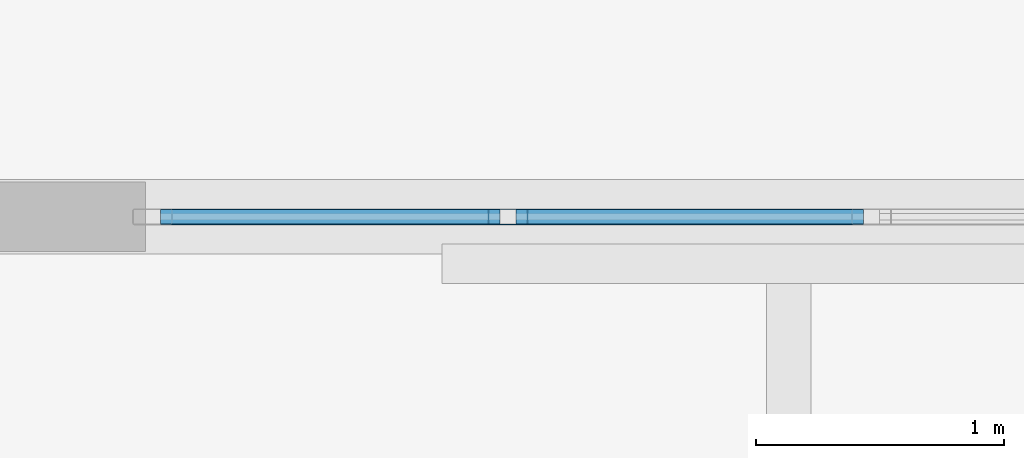
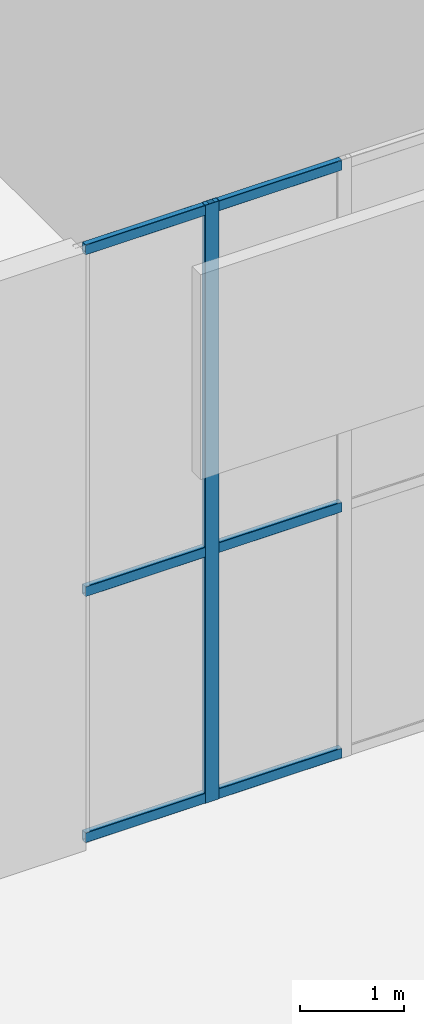
# One storey, part 9 of 23: 7 members, 1 element without a shape of its own.
"""IFC4 building model written with IfcOpenShell, lengths in metres."""

import ifcopenshell
import ifcopenshell.guid

model = None  # the IFC model being written
_history = None  # IfcOwnerHistory: only IFC2X3 demands one
_inside = {}  # id of a spatial element -> (the spatial element, [elements in it])
_under = {}  # id of a project, library or spatial element -> (it, [spatial elements below it])
_declared = {}  # id of a project -> (the project, [libraries it declares])
_typed = {}  # id of a type object -> (the type object, [elements of that type])
_made_of = {}  # id of a material, layer set ... -> (it, [elements and type objects made of it])


def new_model(schema):
    """Start an empty IFC model of exactly this schema.

    Asked for "IFC4X3", IfcOpenShell would pick the latest addendum, in which some entities
    have other attributes; the version numbers below select the first issue.
    IFC2X3 requires an IfcOwnerHistory on every rooted entity: one is made here for all.
    """
    global model, _history
    if schema == "IFC4X3":
        model = ifcopenshell.file(schema_version=(4, 3, 0, 0))
    else:
        model = ifcopenshell.file(schema=schema)
    _inside.clear()
    _under.clear()
    _declared.clear()
    _typed.clear()
    _made_of.clear()
    _history = None
    if model.schema == "IFC2X3":
        org = make("IfcOrganization", Name="unknown")
        user = make(
            "IfcPersonAndOrganization",
            ThePerson=make("IfcPerson", FamilyName="unknown"),
            TheOrganization=org,
        )
        app = make(
            "IfcApplication",
            ApplicationDeveloper=org,
            Version="unknown",
            ApplicationFullName="unknown",
            ApplicationIdentifier="unknown",
        )
        _history = make(
            "IfcOwnerHistory",
            OwningUser=user,
            OwningApplication=app,
            ChangeAction="ADDED",
            CreationDate=0,
        )
    return model


def make(cls, **values):
    """One entity of the class cls with the attributes given. An attribute that is None is left unset."""
    return model.create_entity(
        cls, **{name: value for name, value in values.items() if value is not None}
    )


def rooted(cls, **values):
    """An entity with a GlobalId (a new one), such as an element, a storey or a relation."""
    return make(cls, GlobalId=ifcopenshell.guid.new(), OwnerHistory=_history, **values)


def si_unit(unit_type, name, prefix=None):
    """IfcSIUnit, for example si_unit("LENGTHUNIT", "METRE", prefix="MILLI")."""
    return make("IfcSIUnit", UnitType=unit_type, Prefix=prefix, Name=name)


def assignment(units):
    """IfcUnitAssignment: the units of a project."""
    return None if units is None else make("IfcUnitAssignment", Units=units)


def point(xyz):
    """IfcCartesianPoint."""
    return None if xyz is None else make("IfcCartesianPoint", Coordinates=xyz)


def direction(xyz):
    """IfcDirection."""
    return None if xyz is None else make("IfcDirection", DirectionRatios=xyz)


def frame(location, z_axis=None, x_axis=None):
    """IfcAxis2Placement3D, a coordinate frame: its origin and axes. An axis left out is left unset."""
    return make(
        "IfcAxis2Placement3D",
        Location=point(location),
        Axis=direction(z_axis),
        RefDirection=direction(x_axis),
    )


def frame_2d(location, x_axis=None):
    """IfcAxis2Placement2D, a coordinate frame in the plane: its origin and x axis."""
    return make(
        "IfcAxis2Placement2D", Location=point(location), RefDirection=direction(x_axis)
    )


def origin():
    """The frame at (0, 0, 0) with its axes left unset."""
    return frame((0.0, 0.0, 0.0))


def origin_2d():
    """The frame at (0, 0) in the plane with its x axis left unset."""
    return frame_2d((0.0, 0.0))


def place(relative_to, where):
    """IfcLocalPlacement: puts the frame where relative to a parent placement (None: the world)."""
    return make(
        "IfcLocalPlacement", PlacementRelTo=relative_to, RelativePlacement=where
    )


def context(
    kind, dimensions, precision=None, world=None, true_north=None, identifier=None
):
    """IfcGeometricRepresentationContext, for example the 3D "Model" context."""
    return make(
        "IfcGeometricRepresentationContext",
        ContextIdentifier=identifier,
        ContextType=kind,
        CoordinateSpaceDimension=dimensions,
        Precision=precision,
        WorldCoordinateSystem=world,
        TrueNorth=true_north,
    )


def subcontext(parent, identifier, kind, view, scale=None):
    """IfcGeometricRepresentationSubContext, for example "Body" below "Model"."""
    return make(
        "IfcGeometricRepresentationSubContext",
        ContextIdentifier=identifier,
        ContextType=kind,
        ParentContext=parent,
        TargetScale=scale,
        TargetView=view,
    )


def project(units=None, contexts=None):
    """IfcProject with its units and contexts."""
    return rooted(
        "IfcProject",
        Name="project",
        RepresentationContexts=contexts,
        UnitsInContext=assignment(units),
    )


def spatial(cls, under=None, at=None, **own):
    """A site, building, storey or space (cls), placed at a placement, below another one or the project."""
    s = rooted(cls, ObjectPlacement=at, **own)
    if under is not None:
        _under.setdefault(under.id(), (under, []))[1].append(s)
    return s


def profile(cls, at=None, kind="AREA", **sizes):
    """A parametric profile (cls). Its sizes go by their IFC names, for example OverallWidth=200.0."""
    return make(cls, ProfileType=kind, Position=at, **sizes)


def hollow_rectangle(**sizes):
    """IfcRectangleHollowProfileDef."""
    return profile("IfcRectangleHollowProfileDef", **sizes)


def extrude(swept, where, along, depth):
    """IfcExtrudedAreaSolid: the profile swept, set in the frame where, extruded along a direction by depth."""
    return make(
        "IfcExtrudedAreaSolid",
        SweptArea=swept,
        Position=where,
        ExtrudedDirection=direction(along),
        Depth=depth,
    )


def shape(context_of_items, identifier, shape_type, items):
    """IfcShapeRepresentation: the items that make up one representation, for example the "Body"."""
    return make(
        "IfcShapeRepresentation",
        ContextOfItems=context_of_items,
        RepresentationIdentifier=identifier,
        RepresentationType=shape_type,
        Items=items,
    )


def material(Name=None, Category=None):
    """IfcMaterial."""
    return make("IfcMaterial", Name=Name, Category=Category)


def layer(
    of_material, thickness, ventilated=None, Name=None, Category=None, Priority=None
):
    """IfcMaterialLayer: one layer of a wall or slab, of a material (None: an air gap)."""
    return make(
        "IfcMaterialLayer",
        Material=of_material,
        LayerThickness=thickness,
        IsVentilated=ventilated,
        Name=Name,
        Category=Category,
        Priority=Priority,
    )


def layer_set(layers, Name=None):
    """IfcMaterialLayerSet."""
    return make("IfcMaterialLayerSet", MaterialLayers=layers, LayerSetName=Name)


def material_profile(
    of_material, cross_section, Name=None, Category=None, Priority=None
):
    """IfcMaterialProfile: a cross section and its material."""
    return make(
        "IfcMaterialProfile",
        Name=Name,
        Material=of_material,
        Profile=cross_section,
        Priority=Priority,
        Category=Category,
    )


def profile_set(profiles, Name=None, composite=None):
    """IfcMaterialProfileSet."""
    return make(
        "IfcMaterialProfileSet",
        Name=Name,
        MaterialProfiles=profiles,
        CompositeProfile=composite,
    )


def made_of(thing, what):
    """Note that an element or type object is made of a material, layer set ...; save() writes the relation."""
    if what is not None:
        _made_of.setdefault(what.id(), (what, []))[1].append(thing)
    return thing


def type_object(cls, material=None, **own):
    """A type object (cls), such as IfcWallType, which elements share."""
    return made_of(rooted(cls, **own), material)


def element(
    cls,
    number,
    at=None,
    inside=None,
    cuts=None,
    type_object=None,
    material=None,
    context=None,
    identifier="Body",
    shape_type=None,
    held_by="IfcProductDefinitionShape",
    body=None,
    shapes=None,
    **own,
):
    """One element of the class cls, such as IfcWall. Its Tag is "e" and its number.

    at: its placement. inside: the storey or other place that contains it. cuts: it is an
    opening in that element (IfcRelVoidsElement). A single representation is given by context,
    identifier, shape_type and body (its items); several are given by shapes. held_by: the class
    of the entity that holds the representations. save() writes the other relations.
    """
    e = rooted(cls, Tag="e%d" % number, ObjectPlacement=at, **own)
    if body is not None:
        shapes = [shape(context, identifier, shape_type, body)]
    if shapes is not None:
        e.Representation = make(held_by, Representations=shapes)
    if inside is not None:
        _inside.setdefault(inside.id(), (inside, []))[1].append(e)
    if cuts is not None:
        rooted(
            "IfcRelVoidsElement", RelatingBuildingElement=cuts, RelatedOpeningElement=e
        )
    if type_object is not None:
        _typed.setdefault(type_object.id(), (type_object, []))[1].append(e)
    return made_of(e, material)


def aggregate(whole, parts):
    """IfcRelAggregates: a whole, such as a stair, and the parts it consists of."""
    return rooted("IfcRelAggregates", RelatingObject=whole, RelatedObjects=parts)


def save(model, path):
    """Write the relations noted so far, then the file.

    IfcRelAggregates (storeys below a building ...), IfcRelContainedInSpatialStructure (elements
    in a storey), IfcRelDefinesByType, IfcRelAssociatesMaterial and IfcRelDeclares: one each for
    every whole, place, type object, material and project.
    """
    for whole, parts in _under.values():
        aggregate(whole, parts)
    for where, things in _inside.values():
        rooted(
            "IfcRelContainedInSpatialStructure",
            RelatedElements=things,
            RelatingStructure=where,
        )
    for kind, things in _typed.values():
        rooted("IfcRelDefinesByType", RelatedObjects=things, RelatingType=kind)
    for what, things in _made_of.values():
        rooted("IfcRelAssociatesMaterial", RelatedObjects=things, RelatingMaterial=what)
    for by, libraries in _declared.values():
        rooted("IfcRelDeclares", RelatingContext=by, RelatedDefinitions=libraries)
    model.write(path)


model = new_model("IFC4")

# Units and contexts
model_context = context("Model", 3, precision=1e-05, world=origin(), true_north=direction((0.0, 1.0)))
body_context = subcontext(model_context, "Body", "Model", "MODEL_VIEW")
ifc_project = project(units=[si_unit("LENGTHUNIT", "METRE"), si_unit("AREAUNIT", "SQUARE_METRE"), si_unit("VOLUMEUNIT", "CUBIC_METRE"), si_unit("PLANEANGLEUNIT", "RADIAN"), si_unit("MASSUNIT", "GRAM", prefix="KILO")], contexts=[model_context])

# Site, building, storey
site_placement = place(None, origin())
site = spatial("IfcSite", under=ifc_project, at=site_placement, CompositionType="ELEMENT")
building_placement = place(site_placement, origin())
building = spatial("IfcBuilding", under=site, at=building_placement, Name="Kaelvorn Grand Hotel", CompositionType="ELEMENT")
storey_placement = place(building_placement, frame((0.0, 0.0, 310.699951171875)))
storey = spatial("IfcBuildingStorey", under=building, at=storey_placement, Name="L75", CompositionType="ELEMENT", Elevation=310.699951171875)

# Curtain wall, members
ifc_material = material(Name="Anodised Aluminium", Category="aluminium")
ifc_layer = layer(ifc_material, 0.159912109375)
ifc_layer_set = layer_set([ifc_layer], Name="Anodised Aluminium")
curtain_wall_type = type_object("IfcCurtainWallType", Name="CW-SYS6", PredefinedType="NOTDEFINED", material=ifc_layer_set)
curtain_wall_placement = place(storey_placement, origin())
curtain_wall = element("IfcCurtainWall", 1, at=curtain_wall_placement, inside=storey, type_object=curtain_wall_type, Name="L75 Unitised Curtain Wall CW6 (CW-L75-S1)", PredefinedType="NOTDEFINED")
ifc_material_profile_1 = material_profile(ifc_material, hollow_rectangle(XDim=0.06494140625, YDim=0.159912109375, WallThickness=0.00341796875, InnerFilletRadius=0.00341796875, OuterFilletRadius=0.007080078125, at=origin_2d()), Name="ALU MULL 65x160")
ifc_profile_set_1 = profile_set([ifc_material_profile_1], Name="Anodised Aluminium")
member_type_1 = type_object("IfcMemberType", Name="CW-SYS6-MULL", PredefinedType="MULLION", material=ifc_profile_set_1)
member_1_placement = place(storey_placement, frame((25.86669921875, 15.0, 0.0), z_axis=(0.0, 0.0, 1.0), x_axis=(0.0, 1.0, 0.0)))
member_1 = element("IfcMember", 2, at=member_1_placement, type_object=member_type_1, Name="CW6 mullion 2", PredefinedType="MULLION", context=body_context, shape_type="SweptSolid", body=[
    extrude(hollow_rectangle(XDim=0.06494140625, YDim=0.159912109375, WallThickness=0.00341796875, InnerFilletRadius=0.00341796875, OuterFilletRadius=0.007080078125, at=origin_2d()), origin(), (0.0, 0.0, 1.0), 7.0),
])
ifc_material_profile_2 = material_profile(ifc_material, hollow_rectangle(XDim=0.06494140625, YDim=0.1201171875, WallThickness=0.00341796875, InnerFilletRadius=0.00341796875, OuterFilletRadius=0.007080078125, at=origin_2d()), Name="ALU TRAN 65x120")
ifc_profile_set_2 = profile_set([ifc_material_profile_2], Name="Anodised Aluminium")
member_type_2 = type_object("IfcMemberType", Name="CW-SYS6-TRAN", PredefinedType="NOTDEFINED", material=ifc_profile_set_2)
member_2_placement = place(storey_placement, frame((24.465087890625, 15.0, 0.06005859375), z_axis=(1.0, 0.0, 0.0), x_axis=(0.0, 1.0, 0.0)))
member_2 = element("IfcMember", 3, at=member_2_placement, type_object=member_type_2, Name="CW6 transom 1.1", ObjectType="TRANSOM", PredefinedType="USERDEFINED", context=body_context, shape_type="SweptSolid", body=[
    extrude(hollow_rectangle(XDim=0.06494140625, YDim=0.1201171875, WallThickness=0.00341796875, InnerFilletRadius=0.00341796875, OuterFilletRadius=0.007080078125, at=origin_2d()), origin(), (0.0, 0.0, 1.0), 1.369140625),
])
member_3_placement = place(storey_placement, frame((24.465087890625, 15.0, 2.93994140625), z_axis=(1.0, 0.0, 0.0), x_axis=(0.0, 1.0, 0.0)))
member_3 = element("IfcMember", 4, at=member_3_placement, type_object=member_type_2, Name="CW6 transom 1.2", ObjectType="TRANSOM", PredefinedType="USERDEFINED", context=body_context, shape_type="SweptSolid", body=[
    extrude(hollow_rectangle(XDim=0.06494140625, YDim=0.1201171875, WallThickness=0.00341796875, InnerFilletRadius=0.00341796875, OuterFilletRadius=0.007080078125, at=origin_2d()), origin(), (0.0, 0.0, 1.0), 1.369140625),
])
member_4_placement = place(storey_placement, frame((24.465087890625, 15.0, 6.93994140625), z_axis=(1.0, 0.0, 0.0), x_axis=(0.0, 1.0, 0.0)))
member_4 = element("IfcMember", 5, at=member_4_placement, type_object=member_type_2, Name="CW6 transom 1.3", ObjectType="TRANSOM", PredefinedType="USERDEFINED", context=body_context, shape_type="SweptSolid", body=[
    extrude(hollow_rectangle(XDim=0.06494140625, YDim=0.1201171875, WallThickness=0.00341796875, InnerFilletRadius=0.00341796875, OuterFilletRadius=0.007080078125, at=origin_2d()), origin(), (0.0, 0.0, 1.0), 1.369140625),
])
member_5_placement = place(storey_placement, frame((25.899169921875, 15.0, 0.06005859375), z_axis=(1.0, 0.0, 0.0), x_axis=(0.0, 1.0, 0.0)))
member_5 = element("IfcMember", 6, at=member_5_placement, type_object=member_type_2, Name="CW6 transom 2.1", ObjectType="TRANSOM", PredefinedType="USERDEFINED", context=body_context, shape_type="SweptSolid", body=[
    extrude(hollow_rectangle(XDim=0.06494140625, YDim=0.1201171875, WallThickness=0.00341796875, InnerFilletRadius=0.00341796875, OuterFilletRadius=0.007080078125, at=origin_2d()), origin(), (0.0, 0.0, 1.0), 1.401611328125),
])
member_6_placement = place(storey_placement, frame((25.899169921875, 15.0, 2.93994140625), z_axis=(1.0, 0.0, 0.0), x_axis=(0.0, 1.0, 0.0)))
member_6 = element("IfcMember", 7, at=member_6_placement, type_object=member_type_2, Name="CW6 transom 2.2", ObjectType="TRANSOM", PredefinedType="USERDEFINED", context=body_context, shape_type="SweptSolid", body=[
    extrude(hollow_rectangle(XDim=0.06494140625, YDim=0.1201171875, WallThickness=0.00341796875, InnerFilletRadius=0.00341796875, OuterFilletRadius=0.007080078125, at=origin_2d()), origin(), (0.0, 0.0, 1.0), 1.401611328125),
])
member_7_placement = place(storey_placement, frame((25.899169921875, 15.0, 6.93994140625), z_axis=(1.0, 0.0, 0.0), x_axis=(0.0, 1.0, 0.0)))
member_7 = element("IfcMember", 8, at=member_7_placement, type_object=member_type_2, Name="CW6 transom 2.3", ObjectType="TRANSOM", PredefinedType="USERDEFINED", context=body_context, shape_type="SweptSolid", body=[
    extrude(hollow_rectangle(XDim=0.06494140625, YDim=0.1201171875, WallThickness=0.00341796875, InnerFilletRadius=0.00341796875, OuterFilletRadius=0.007080078125, at=origin_2d()), origin(), (0.0, 0.0, 1.0), 1.401611328125),
])
aggregate(curtain_wall, [member_1, member_2, member_3, member_4, member_5, member_6, member_7])

save(model, "model.ifc")
